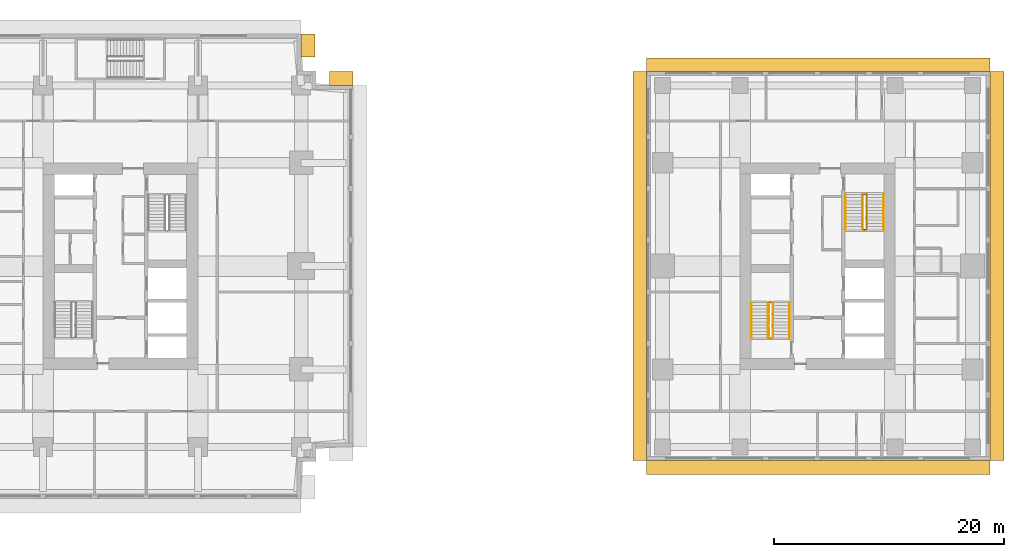
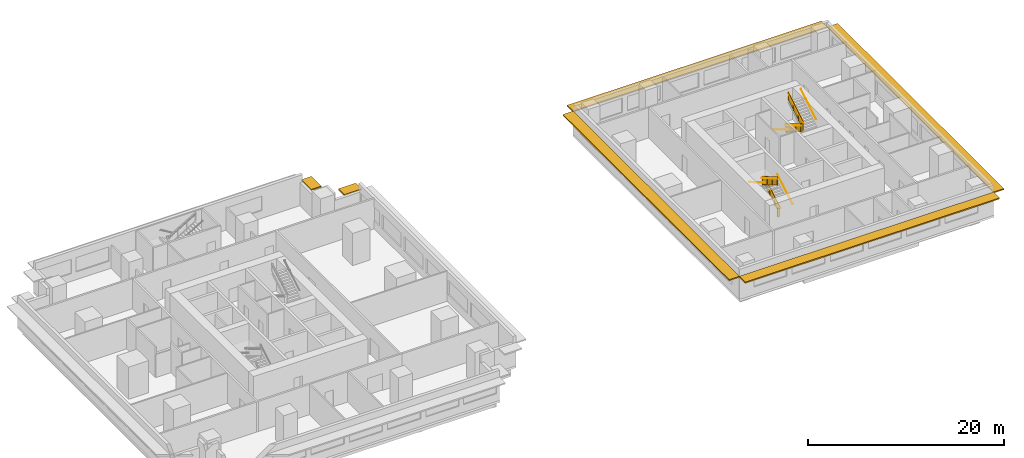
# One storey, part 11 of 11: 10 railings, 6 shading devices.
"""IFC4 building model written with IfcOpenShell, lengths in metres."""

from ifc_helpers import new_model, si_unit, direction, frame, origin, origin_2d, place, context, subcontext, project, spatial, polyline, rectangle, circle, outline, extrude, material, layer, layer_set, type_object, element, save


model = new_model("IFC4")

# Units and contexts
model_context = context("Model", 3, precision=1e-05, world=origin(), true_north=direction((0.0, 1.0)))
body_context = subcontext(model_context, "Body", "Model", "MODEL_VIEW")
ifc_project = project(units=[si_unit("LENGTHUNIT", "METRE"), si_unit("AREAUNIT", "SQUARE_METRE"), si_unit("VOLUMEUNIT", "CUBIC_METRE"), si_unit("PLANEANGLEUNIT", "RADIAN"), si_unit("MASSUNIT", "GRAM", prefix="KILO")], contexts=[model_context])

# Site, building, storey
site_placement = place(None, origin())
site = spatial("IfcSite", under=ifc_project, at=site_placement, CompositionType="ELEMENT")
building_placement = place(site_placement, origin())
building = spatial("IfcBuilding", under=site, at=building_placement, Name="Namib Vertical Campus", CompositionType="ELEMENT")
storey_placement = place(building_placement, frame((0.0, 0.0, 189.0)))
storey = spatial("IfcBuildingStorey", under=building, at=storey_placement, Name="L44", CompositionType="ELEMENT", Elevation=189.0)

# Railings
ifc_material_1 = material(Name="Steel handrail", Category="steel")
railing_type_1 = type_object("IfcRailingType", Name="Handrail 900", PredefinedType="HANDRAIL", material=ifc_material_1)
railing_1_placement = place(storey_placement, frame((78.550048828125, 14.0, 0.166748046875)))
element("IfcRailing", 1, at=railing_1_placement, inside=storey, type_object=railing_type_1, Name="Handrail HR1 B-S1 L44 1", PredefinedType="HANDRAIL", context=body_context, shape_type="SweptSolid", body=[
    extrude(circle(Radius=0.02392578125, at=origin_2d()), frame((0.0, 0.0, 0.8759765625), z_axis=(0.0, 0.859308565015, 0.511457515432), x_axis=(-1.0, 0.0, 0.0)), (0.0, 0.0, 1.0), 3.58447265625),
    extrude(circle(Radius=0.008056640625, at=origin_2d()), frame((0.0, 0.0, 0.8759765625), z_axis=(1.0, 0.0, 0.0), x_axis=(0.0, 0.0, 1.0)), (0.0, 0.0, 1.0), 0.050048828125),
    extrude(circle(Radius=0.008056640625, at=origin_2d()), frame((0.0, 1.026611328125, 1.48681640625), z_axis=(1.0, 0.0, 0.0), x_axis=(0.0, 0.0, 1.0)), (0.0, 0.0, 1.0), 0.050048828125),
    extrude(circle(Radius=0.008056640625, at=origin_2d()), frame((0.0, 2.053466796875, 2.09814453125), z_axis=(1.0, 0.0, 0.0), x_axis=(0.0, 0.0, 1.0)), (0.0, 0.0, 1.0), 0.050048828125),
    extrude(circle(Radius=0.008056640625, at=origin_2d()), frame((0.0, 3.080078125, 2.708984375), z_axis=(1.0, 0.0, 0.0), x_axis=(0.0, 0.0, 1.0)), (0.0, 0.0, 1.0), 0.050048828125),
])
railing_2_placement = place(storey_placement, frame((75.25, 17.080078125, 2.166748046875)))
element("IfcRailing", 2, at=railing_2_placement, inside=storey, type_object=railing_type_1, Name="Handrail HR1 B-S1 L44 2", PredefinedType="HANDRAIL", context=body_context, shape_type="SweptSolid", body=[
    extrude(circle(Radius=0.02392578125, at=origin_2d()), frame((0.0, 0.0, 0.8759765625), z_axis=(0.0, -0.859308565015, 0.511457515432), x_axis=(1.0, 0.0, 0.0)), (0.0, 0.0, 1.0), 3.58447265625),
    extrude(circle(Radius=0.008056640625, at=origin_2d()), frame((0.0, 0.0, 0.8759765625), z_axis=(-1.0, 0.0, 0.0), x_axis=(0.0, 0.0, 1.0)), (0.0, 0.0, 1.0), 0.050048828125),
    extrude(circle(Radius=0.008056640625, at=origin_2d()), frame((0.0, -1.026611328125, 1.48681640625), z_axis=(-1.0, 0.0, 0.0), x_axis=(0.0, 0.0, 1.0)), (0.0, 0.0, 1.0), 0.050048828125),
    extrude(circle(Radius=0.008056640625, at=origin_2d()), frame((0.0, -2.053466796875, 2.09814453125), z_axis=(-1.0, 0.0, 0.0), x_axis=(0.0, 0.0, 1.0)), (0.0, 0.0, 1.0), 0.050048828125),
    extrude(circle(Radius=0.008056640625, at=origin_2d()), frame((0.0, -3.080078125, 2.708984375), z_axis=(-1.0, 0.0, 0.0), x_axis=(0.0, 0.0, 1.0)), (0.0, 0.0, 1.0), 0.050048828125),
])
railing_3_placement = place(storey_placement, frame((77.10009765625, 14.0, 0.166748046875)))
element("IfcRailing", 3, at=railing_3_placement, inside=storey, type_object=railing_type_1, Name="Handrail HR1 B-S1 L44 1 at the well", PredefinedType="HANDRAIL", context=body_context, shape_type="SweptSolid", body=[
    extrude(circle(Radius=0.02392578125, at=origin_2d()), frame((0.0, 0.0, 0.8759765625), z_axis=(0.0, 0.859308565015, 0.511457515432), x_axis=(-1.0, 0.0, 0.0)), (0.0, 0.0, 1.0), 3.58447265625),
    extrude(circle(Radius=0.008056640625, at=origin_2d()), frame((0.0, 0.0, 0.8759765625), z_axis=(-1.0, 0.0, 0.0), x_axis=(0.0, 0.0, 1.0)), (0.0, 0.0, 1.0), 0.0400390625),
    extrude(circle(Radius=0.008056640625, at=origin_2d()), frame((0.0, 1.026611328125, 1.48681640625), z_axis=(-1.0, 0.0, 0.0), x_axis=(0.0, 0.0, 1.0)), (0.0, 0.0, 1.0), 0.0400390625),
    extrude(circle(Radius=0.008056640625, at=origin_2d()), frame((0.0, 2.053466796875, 2.09814453125), z_axis=(-1.0, 0.0, 0.0), x_axis=(0.0, 0.0, 1.0)), (0.0, 0.0, 1.0), 0.0400390625),
    extrude(circle(Radius=0.008056640625, at=origin_2d()), frame((0.0, 3.080078125, 2.708984375), z_axis=(-1.0, 0.0, 0.0), x_axis=(0.0, 0.0, 1.0)), (0.0, 0.0, 1.0), 0.0400390625),
])
railing_4_placement = place(storey_placement, frame((76.699951171875, 17.080078125, 2.166748046875)))
element("IfcRailing", 4, at=railing_4_placement, inside=storey, type_object=railing_type_1, Name="Handrail HR1 B-S1 L44 2 at the well", PredefinedType="HANDRAIL", context=body_context, shape_type="SweptSolid", body=[
    extrude(circle(Radius=0.02392578125, at=origin_2d()), frame((0.0, 0.0, 0.8759765625), z_axis=(0.0, -0.859308565015, 0.511457515432), x_axis=(1.0, 0.0, 0.0)), (0.0, 0.0, 1.0), 3.58447265625),
    extrude(circle(Radius=0.008056640625, at=origin_2d()), frame((0.0, 0.0, 0.8759765625), z_axis=(1.0, 0.0, 0.0), x_axis=(0.0, 0.0, 1.0)), (0.0, 0.0, 1.0), 0.0400390625),
    extrude(circle(Radius=0.008056640625, at=origin_2d()), frame((0.0, -1.026611328125, 1.48681640625), z_axis=(1.0, 0.0, 0.0), x_axis=(0.0, 0.0, 1.0)), (0.0, 0.0, 1.0), 0.0400390625),
    extrude(circle(Radius=0.008056640625, at=origin_2d()), frame((0.0, -2.053466796875, 2.09814453125), z_axis=(1.0, 0.0, 0.0), x_axis=(0.0, 0.0, 1.0)), (0.0, 0.0, 1.0), 0.0400390625),
    extrude(circle(Radius=0.008056640625, at=origin_2d()), frame((0.0, -3.080078125, 2.708984375), z_axis=(1.0, 0.0, 0.0), x_axis=(0.0, 0.0, 1.0)), (0.0, 0.0, 1.0), 0.0400390625),
])
railing_5_placement = place(storey_placement, frame((83.449951171875, 26.5, 0.166748046875)))
element("IfcRailing", 5, at=railing_5_placement, inside=storey, type_object=railing_type_1, Name="Handrail HR1 B-S2 L44 1", PredefinedType="HANDRAIL", context=body_context, shape_type="SweptSolid", body=[
    extrude(circle(Radius=0.02392578125, at=origin_2d()), frame((0.0, 0.0, 0.8759765625), z_axis=(0.0, -0.859308565015, 0.511457515432), x_axis=(1.0, 0.0, 0.0)), (0.0, 0.0, 1.0), 3.58447265625),
    extrude(circle(Radius=0.008056640625, at=origin_2d()), frame((0.0, 0.0, 0.8759765625), z_axis=(-1.0, 0.0, 0.0), x_axis=(0.0, 0.0, 1.0)), (0.0, 0.0, 1.0), 0.050048828125),
    extrude(circle(Radius=0.008056640625, at=origin_2d()), frame((0.0, -1.026611328125, 1.48681640625), z_axis=(-1.0, 0.0, 0.0), x_axis=(0.0, 0.0, 1.0)), (0.0, 0.0, 1.0), 0.050048828125),
    extrude(circle(Radius=0.008056640625, at=origin_2d()), frame((0.0, -2.053466796875, 2.09814453125), z_axis=(-1.0, 0.0, 0.0), x_axis=(0.0, 0.0, 1.0)), (0.0, 0.0, 1.0), 0.050048828125),
    extrude(circle(Radius=0.008056640625, at=origin_2d()), frame((0.0, -3.080078125, 2.708984375), z_axis=(-1.0, 0.0, 0.0), x_axis=(0.0, 0.0, 1.0)), (0.0, 0.0, 1.0), 0.050048828125),
])
railing_6_placement = place(storey_placement, frame((86.75, 23.419921875, 2.166748046875)))
element("IfcRailing", 6, at=railing_6_placement, inside=storey, type_object=railing_type_1, Name="Handrail HR1 B-S2 L44 2", PredefinedType="HANDRAIL", context=body_context, shape_type="SweptSolid", body=[
    extrude(circle(Radius=0.02392578125, at=origin_2d()), frame((0.0, 0.0, 0.8759765625), z_axis=(0.0, 0.859308565015, 0.511457515432), x_axis=(-1.0, 0.0, 0.0)), (0.0, 0.0, 1.0), 3.58447265625),
    extrude(circle(Radius=0.008056640625, at=origin_2d()), frame((0.0, 0.0, 0.8759765625), z_axis=(1.0, 0.0, 0.0), x_axis=(0.0, 0.0, 1.0)), (0.0, 0.0, 1.0), 0.050048828125),
    extrude(circle(Radius=0.008056640625, at=origin_2d()), frame((0.0, 1.026611328125, 1.48681640625), z_axis=(1.0, 0.0, 0.0), x_axis=(0.0, 0.0, 1.0)), (0.0, 0.0, 1.0), 0.050048828125),
    extrude(circle(Radius=0.008056640625, at=origin_2d()), frame((0.0, 2.053466796875, 2.09814453125), z_axis=(1.0, 0.0, 0.0), x_axis=(0.0, 0.0, 1.0)), (0.0, 0.0, 1.0), 0.050048828125),
    extrude(circle(Radius=0.008056640625, at=origin_2d()), frame((0.0, 3.080078125, 2.708984375), z_axis=(1.0, 0.0, 0.0), x_axis=(0.0, 0.0, 1.0)), (0.0, 0.0, 1.0), 0.050048828125),
])
railing_7_placement = place(storey_placement, frame((84.89990234375, 26.5, 0.166748046875)))
element("IfcRailing", 7, at=railing_7_placement, inside=storey, type_object=railing_type_1, Name="Handrail HR1 B-S2 L44 1 at the well", PredefinedType="HANDRAIL", context=body_context, shape_type="SweptSolid", body=[
    extrude(circle(Radius=0.02392578125, at=origin_2d()), frame((0.0, 0.0, 0.8759765625), z_axis=(0.0, -0.859308565015, 0.511457515432), x_axis=(1.0, 0.0, 0.0)), (0.0, 0.0, 1.0), 3.58447265625),
    extrude(circle(Radius=0.008056640625, at=origin_2d()), frame((0.0, 0.0, 0.8759765625), z_axis=(1.0, 0.0, 0.0), x_axis=(0.0, 0.0, 1.0)), (0.0, 0.0, 1.0), 0.0400390625),
    extrude(circle(Radius=0.008056640625, at=origin_2d()), frame((0.0, -1.026611328125, 1.48681640625), z_axis=(1.0, 0.0, 0.0), x_axis=(0.0, 0.0, 1.0)), (0.0, 0.0, 1.0), 0.0400390625),
    extrude(circle(Radius=0.008056640625, at=origin_2d()), frame((0.0, -2.053466796875, 2.09814453125), z_axis=(1.0, 0.0, 0.0), x_axis=(0.0, 0.0, 1.0)), (0.0, 0.0, 1.0), 0.0400390625),
    extrude(circle(Radius=0.008056640625, at=origin_2d()), frame((0.0, -3.080078125, 2.708984375), z_axis=(1.0, 0.0, 0.0), x_axis=(0.0, 0.0, 1.0)), (0.0, 0.0, 1.0), 0.0400390625),
])
railing_8_placement = place(storey_placement, frame((85.300048828125, 23.419921875, 2.166748046875)))
element("IfcRailing", 8, at=railing_8_placement, inside=storey, type_object=railing_type_1, Name="Handrail HR1 B-S2 L44 2 at the well", PredefinedType="HANDRAIL", context=body_context, shape_type="SweptSolid", body=[
    extrude(circle(Radius=0.02392578125, at=origin_2d()), frame((0.0, 0.0, 0.8759765625), z_axis=(0.0, 0.859308565015, 0.511457515432), x_axis=(-1.0, 0.0, 0.0)), (0.0, 0.0, 1.0), 3.58447265625),
    extrude(circle(Radius=0.008056640625, at=origin_2d()), frame((0.0, 0.0, 0.8759765625), z_axis=(-1.0, 0.0, 0.0), x_axis=(0.0, 0.0, 1.0)), (0.0, 0.0, 1.0), 0.0400390625),
    extrude(circle(Radius=0.008056640625, at=origin_2d()), frame((0.0, 1.026611328125, 1.48681640625), z_axis=(-1.0, 0.0, 0.0), x_axis=(0.0, 0.0, 1.0)), (0.0, 0.0, 1.0), 0.0400390625),
    extrude(circle(Radius=0.008056640625, at=origin_2d()), frame((0.0, 2.053466796875, 2.09814453125), z_axis=(-1.0, 0.0, 0.0), x_axis=(0.0, 0.0, 1.0)), (0.0, 0.0, 1.0), 0.0400390625),
    extrude(circle(Radius=0.008056640625, at=origin_2d()), frame((0.0, 3.080078125, 2.708984375), z_axis=(-1.0, 0.0, 0.0), x_axis=(0.0, 0.0, 1.0)), (0.0, 0.0, 1.0), 0.0400390625),
])
ifc_material_2 = material(Name="Steel balustrade", Category="steel")
railing_type_2 = type_object("IfcRailingType", Name="Stair guard 1100", PredefinedType="GUARDRAIL", material=ifc_material_2)
railing_9_placement = place(storey_placement, frame((76.75, 14.0, 0.0)))
element("IfcRailing", 9, at=railing_9_placement, inside=storey, type_object=railing_type_2, Name="Stair guard GR1 B-S1 L44", PredefinedType="GUARDRAIL", context=body_context, shape_type="SweptSolid", body=[
    extrude(circle(Radius=0.02392578125, at=origin_2d()), frame((0.0, 0.0, 1.076171875), z_axis=(1.0, 0.0, 0.0), x_axis=(0.0, 1.0, 0.0)), (0.0, 0.0, 1.0), 0.300048828125),
    extrude(outline(polyline([(0.02099609375, 0.050048828125), (0.279052734375, 0.050048828125), (0.279052734375, 1.052001953125), (0.02099609375, 1.052001953125), (0.02099609375, 0.050048828125)])), frame((0.0, 0.010009765625, 0.0), z_axis=(0.0, -1.0, 0.0), x_axis=(1.0, 0.0, 0.0)), (0.0, 0.0, 1.0), 0.02001953125),
    extrude(circle(Radius=0.02392578125, at=origin_2d()), frame((0.300048828125, 0.0, 1.076171875), z_axis=(0.0, 0.0, 1.0), x_axis=(1.0, 0.0, 0.0)), (0.0, 0.0, 1.0), 0.166748046875),
    extrude(circle(Radius=0.02392578125, at=origin_2d()), frame((0.300048828125, 0.0, 1.24267578125), z_axis=(0.0, 0.859308565015, 0.511457515432), x_axis=(-1.0, 0.0, 0.0)), (0.0, 0.0, 1.0), 3.58447265625),
    extrude(outline(polyline([(0.02099609375, 0.0625), (3.05908203125, 1.870849609375), (3.05908203125, 2.872802734375), (0.02099609375, 1.064453125), (0.02099609375, 0.0625)])), frame((0.2900390625, 0.0, 0.166748046875), z_axis=(1.0, 0.0, 0.0), x_axis=(0.0, 1.0, 0.0)), (0.0, 0.0, 1.0), 0.02001953125),
    extrude(circle(Radius=0.02392578125, at=origin_2d()), frame((0.300048828125, 3.080078125, 3.076171875), z_axis=(-1.0, 0.0, 0.0), x_axis=(0.0, -1.0, 0.0)), (0.0, 0.0, 1.0), 0.300048828125),
    extrude(outline(polyline([(0.02099609375, 0.050048828125), (0.279052734375, 0.050048828125), (0.279052734375, 1.052001953125), (0.02099609375, 1.052001953125), (0.02099609375, 0.050048828125)])), frame((0.300048828125, 3.070068359375, 2.0), z_axis=(0.0, 1.0, 0.0), x_axis=(-1.0, 0.0, 0.0)), (0.0, 0.0, 1.0), 0.02001953125),
    extrude(circle(Radius=0.02392578125, at=origin_2d()), frame((0.0, 3.080078125, 3.076171875), z_axis=(0.0, 0.0, 1.0), x_axis=(1.0, 0.0, 0.0)), (0.0, 0.0, 1.0), 0.166748046875),
    extrude(circle(Radius=0.02392578125, at=origin_2d()), frame((0.0, 3.080078125, 3.24267578125), z_axis=(0.0, -0.859308565015, 0.511457515432), x_axis=(1.0, 0.0, 0.0)), (0.0, 0.0, 1.0), 3.58447265625),
    extrude(outline(polyline([(0.02099609375, 0.0625), (3.05908203125, 1.870849609375), (3.05908203125, 2.872802734375), (0.02099609375, 1.064453125), (0.02099609375, 0.0625)])), frame((0.010009765625, 3.080078125, 2.166748046875), z_axis=(-1.0, 0.0, 0.0), x_axis=(0.0, -1.0, 0.0)), (0.0, 0.0, 1.0), 0.02001953125),
    extrude(circle(Radius=0.02392578125, at=origin_2d()), frame((0.0, 0.0, 5.076171875), z_axis=(0.0, -1.0, 0.0), x_axis=(1.0, 0.0, 0.0)), (0.0, 0.0, 1.0), 0.050048828125),
    extrude(outline(polyline([(0.02099609375, 0.050048828125), (0.029052734375, 0.050048828125), (0.029052734375, 1.052001953125), (0.02099609375, 1.052001953125), (0.02099609375, 0.050048828125)])), frame((0.010009765625, 0.0, 4.0), z_axis=(-1.0, 0.0, 0.0), x_axis=(0.0, -1.0, 0.0)), (0.0, 0.0, 1.0), 0.02001953125),
    extrude(circle(Radius=0.02099609375, at=origin_2d()), origin(), (0.0, 0.0, 1.0), 1.052001953125),
    extrude(circle(Radius=0.02099609375, at=origin_2d()), frame((0.300048828125, 0.0, 0.166748046875)), (0.0, 0.0, 1.0), 1.052001953125),
    extrude(circle(Radius=0.02099609375, at=origin_2d()), frame((0.300048828125, 1.026611328125, 0.666748046875)), (0.0, 0.0, 1.0), 1.1630859375),
    extrude(circle(Radius=0.02099609375, at=origin_2d()), frame((0.300048828125, 2.053466796875, 1.33349609375)), (0.0, 0.0, 1.0), 1.107421875),
    extrude(circle(Radius=0.02099609375, at=origin_2d()), frame((0.300048828125, 3.080078125, 2.0)), (0.0, 0.0, 1.0), 1.052001953125),
    extrude(circle(Radius=0.02099609375, at=origin_2d()), frame((0.0, 3.080078125, 2.166748046875)), (0.0, 0.0, 1.0), 1.052001953125),
    extrude(circle(Radius=0.02099609375, at=origin_2d()), frame((0.0, 2.053466796875, 2.666748046875)), (0.0, 0.0, 1.0), 1.1630859375),
    extrude(circle(Radius=0.02099609375, at=origin_2d()), frame((0.0, 1.026611328125, 3.33349609375)), (0.0, 0.0, 1.0), 1.107421875),
    extrude(circle(Radius=0.02099609375, at=origin_2d()), frame((0.0, 0.0, 4.0)), (0.0, 0.0, 1.0), 1.052001953125),
    extrude(circle(Radius=0.02099609375, at=origin_2d()), frame((0.0, -0.050048828125, 4.0)), (0.0, 0.0, 1.0), 1.052001953125),
])
railing_10_placement = place(storey_placement, frame((85.25, 26.5, 0.0)))
element("IfcRailing", 10, at=railing_10_placement, inside=storey, type_object=railing_type_2, Name="Stair guard GR1 B-S2 L44", PredefinedType="GUARDRAIL", context=body_context, shape_type="SweptSolid", body=[
    extrude(circle(Radius=0.02392578125, at=origin_2d()), frame((0.0, 0.0, 1.076171875), z_axis=(-1.0, 0.0, 0.0), x_axis=(0.0, -1.0, 0.0)), (0.0, 0.0, 1.0), 0.300048828125),
    extrude(outline(polyline([(0.02099609375, 0.050048828125), (0.279052734375, 0.050048828125), (0.279052734375, 1.052001953125), (0.02099609375, 1.052001953125), (0.02099609375, 0.050048828125)])), frame((0.0, -0.010009765625, 0.0), z_axis=(0.0, 1.0, 0.0), x_axis=(-1.0, 0.0, 0.0)), (0.0, 0.0, 1.0), 0.02001953125),
    extrude(circle(Radius=0.02392578125, at=origin_2d()), frame((-0.300048828125, 0.0, 1.076171875), z_axis=(0.0, 0.0, 1.0), x_axis=(1.0, 0.0, 0.0)), (0.0, 0.0, 1.0), 0.166748046875),
    extrude(circle(Radius=0.02392578125, at=origin_2d()), frame((-0.300048828125, 0.0, 1.24267578125), z_axis=(0.0, -0.859308565015, 0.511457515432), x_axis=(1.0, 0.0, 0.0)), (0.0, 0.0, 1.0), 3.58447265625),
    extrude(outline(polyline([(0.02099609375, 0.0625), (3.05908203125, 1.870849609375), (3.05908203125, 2.872802734375), (0.02099609375, 1.064453125), (0.02099609375, 0.0625)])), frame((-0.2900390625, 0.0, 0.166748046875), z_axis=(-1.0, 0.0, 0.0), x_axis=(0.0, -1.0, 0.0)), (0.0, 0.0, 1.0), 0.02001953125),
    extrude(circle(Radius=0.02392578125, at=origin_2d()), frame((-0.300048828125, -3.080078125, 3.076171875), z_axis=(1.0, 0.0, 0.0), x_axis=(0.0, 1.0, 0.0)), (0.0, 0.0, 1.0), 0.300048828125),
    extrude(outline(polyline([(0.02099609375, 0.050048828125), (0.279052734375, 0.050048828125), (0.279052734375, 1.052001953125), (0.02099609375, 1.052001953125), (0.02099609375, 0.050048828125)])), frame((-0.300048828125, -3.070068359375, 2.0), z_axis=(0.0, -1.0, 0.0), x_axis=(1.0, 0.0, 0.0)), (0.0, 0.0, 1.0), 0.02001953125),
    extrude(circle(Radius=0.02392578125, at=origin_2d()), frame((0.0, -3.080078125, 3.076171875), z_axis=(0.0, 0.0, 1.0), x_axis=(1.0, 0.0, 0.0)), (0.0, 0.0, 1.0), 0.166748046875),
    extrude(circle(Radius=0.02392578125, at=origin_2d()), frame((0.0, -3.080078125, 3.24267578125), z_axis=(0.0, 0.859308565015, 0.511457515432), x_axis=(-1.0, 0.0, 0.0)), (0.0, 0.0, 1.0), 3.58447265625),
    extrude(outline(polyline([(0.02099609375, 0.0625), (3.05908203125, 1.870849609375), (3.05908203125, 2.872802734375), (0.02099609375, 1.064453125), (0.02099609375, 0.0625)])), frame((-0.010009765625, -3.080078125, 2.166748046875), z_axis=(1.0, 0.0, 0.0), x_axis=(0.0, 1.0, 0.0)), (0.0, 0.0, 1.0), 0.02001953125),
    extrude(circle(Radius=0.02392578125, at=origin_2d()), frame((0.0, 0.0, 5.076171875), z_axis=(0.0, 1.0, 0.0), x_axis=(-1.0, 0.0, 0.0)), (0.0, 0.0, 1.0), 0.050048828125),
    extrude(outline(polyline([(0.02099609375, 0.050048828125), (0.029052734375, 0.050048828125), (0.029052734375, 1.052001953125), (0.02099609375, 1.052001953125), (0.02099609375, 0.050048828125)])), frame((-0.010009765625, 0.0, 4.0), z_axis=(1.0, 0.0, 0.0), x_axis=(0.0, 1.0, 0.0)), (0.0, 0.0, 1.0), 0.02001953125),
    extrude(circle(Radius=0.02099609375, at=origin_2d()), origin(), (0.0, 0.0, 1.0), 1.052001953125),
    extrude(circle(Radius=0.02099609375, at=origin_2d()), frame((-0.300048828125, 0.0, 0.166748046875)), (0.0, 0.0, 1.0), 1.052001953125),
    extrude(circle(Radius=0.02099609375, at=origin_2d()), frame((-0.300048828125, -1.026611328125, 0.666748046875)), (0.0, 0.0, 1.0), 1.1630859375),
    extrude(circle(Radius=0.02099609375, at=origin_2d()), frame((-0.300048828125, -2.053466796875, 1.33349609375)), (0.0, 0.0, 1.0), 1.107421875),
    extrude(circle(Radius=0.02099609375, at=origin_2d()), frame((-0.300048828125, -3.080078125, 2.0)), (0.0, 0.0, 1.0), 1.052001953125),
    extrude(circle(Radius=0.02099609375, at=origin_2d()), frame((0.0, -3.080078125, 2.166748046875)), (0.0, 0.0, 1.0), 1.052001953125),
    extrude(circle(Radius=0.02099609375, at=origin_2d()), frame((0.0, -2.053466796875, 2.666748046875)), (0.0, 0.0, 1.0), 1.1630859375),
    extrude(circle(Radius=0.02099609375, at=origin_2d()), frame((0.0, -1.026611328125, 3.33349609375)), (0.0, 0.0, 1.0), 1.107421875),
    extrude(circle(Radius=0.02099609375, at=origin_2d()), frame((0.0, 0.0, 4.0)), (0.0, 0.0, 1.0), 1.052001953125),
    extrude(circle(Radius=0.02099609375, at=origin_2d()), frame((0.0, 0.050048828125, 4.0)), (0.0, 0.0, 1.0), 1.052001953125),
])

# Shading devices
ifc_material_3 = material(Name="Concrete C40/50 precast", Category="concrete")
ifc_layer = layer(ifc_material_3, 0.14990234375)
ifc_layer_set = layer_set([ifc_layer], Name="Concrete C40/50 precast")
shading_device_type = type_object("IfcShadingDeviceType", Name="Sunshade hood 1200", PredefinedType="SHUTTER", material=ifc_layer_set)
for number, where, z_axis, x_axis, name in (
    (11, (39.487548828125, 36.60009765625, 2.75), (0.0, 0.0, 1.0), (-1.0, 0.0, 0.0), "Sunshade SH2 L44 7"),
    (12, (36.60009765625, 39.487548828125, 2.75), (0.0, 0.0, 1.0), (0.0, 1.0, 0.0), "Sunshade SH2 L44 10"),
):
    element("IfcShadingDevice", number, at=place(storey_placement, frame(where, z_axis=z_axis, x_axis=x_axis)), inside=storey, type_object=shading_device_type, Name=name, PredefinedType="SHUTTER", context=body_context, shape_type="SweptSolid", body=[
        extrude(rectangle(XDim=2.02490234375, YDim=1.199951171875, at=origin_2d()), origin(), (0.0, 0.0, 1.0), 0.14990234375),
    ])
shading_device_1_placement = place(storey_placement, frame((81.074951171875, 2.699951171875, 2.75), z_axis=(0.0, 0.0, 1.0), x_axis=(1.0, 0.0, 0.0)))
element("IfcShadingDevice", 13, at=shading_device_1_placement, inside=storey, type_object=shading_device_type, Name="Sunshade SH2 L44 1", PredefinedType="SHUTTER", context=body_context, shape_type="SweptSolid", body=[
    extrude(rectangle(XDim=29.949951171875, YDim=1.199951171875, at=origin_2d()), origin(), (0.0, 0.0, 1.0), 0.14990234375),
])
shading_device_2_placement = place(storey_placement, frame((96.64990234375, 20.25, 2.75), z_axis=(0.0, 0.0, 1.0), x_axis=(0.0, 1.0, 0.0)))
element("IfcShadingDevice", 14, at=shading_device_2_placement, inside=storey, type_object=shading_device_type, Name="Sunshade SH2 L44 2", PredefinedType="SHUTTER", context=body_context, shape_type="SweptSolid", body=[
    extrude(rectangle(XDim=33.89990234375, YDim=1.199951171875, at=origin_2d()), origin(), (0.0, 0.0, 1.0), 0.14990234375),
])
shading_device_3_placement = place(storey_placement, frame((81.074951171875, 37.800048828125, 2.75), z_axis=(0.0, 0.0, 1.0), x_axis=(-1.0, 0.0, 0.0)))
element("IfcShadingDevice", 15, at=shading_device_3_placement, inside=storey, type_object=shading_device_type, Name="Sunshade SH2 L44 3", PredefinedType="SHUTTER", context=body_context, shape_type="SweptSolid", body=[
    extrude(rectangle(XDim=29.949951171875, YDim=1.199951171875, at=origin_2d()), origin(), (0.0, 0.0, 1.0), 0.14990234375),
])
shading_device_4_placement = place(storey_placement, frame((65.5, 20.25, 2.75), z_axis=(0.0, 0.0, 1.0), x_axis=(0.0, -1.0, 0.0)))
element("IfcShadingDevice", 16, at=shading_device_4_placement, inside=storey, type_object=shading_device_type, Name="Sunshade SH2 L44 4", PredefinedType="SHUTTER", context=body_context, shape_type="SweptSolid", body=[
    extrude(rectangle(XDim=33.89990234375, YDim=1.199951171875, at=origin_2d()), origin(), (0.0, 0.0, 1.0), 0.14990234375),
])

save(model, "model.ifc")
